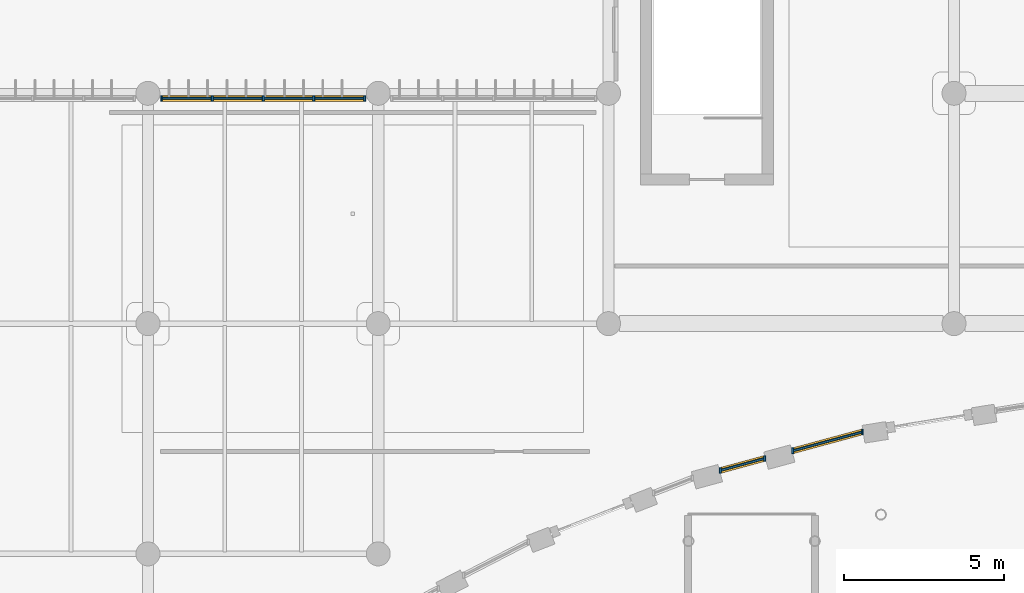
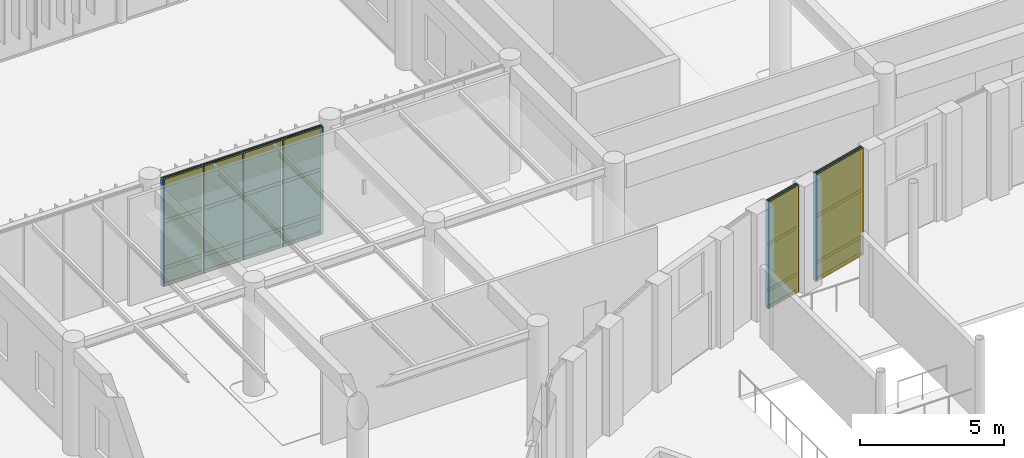
# One storey, part 59 of 122: 33 members, 18 plates, 3 curtain walls.
"""IFC4 building model written with IfcOpenShell, lengths in metres."""

from ifc_helpers import new_model, si_unit, direction, frame, frame_2d, origin, origin_2d, place, context, subcontext, project, spatial, rectangle, extrude, material, layer, layer_set, material_profile, profile_set, type_object, element, aggregate, save


model = new_model("IFC4")

# Units and contexts
model_context = context("Model", 3, precision=1e-05, world=origin(), true_north=direction((0.0, 1.0)))
body_context = subcontext(model_context, "Body", "Model", "MODEL_VIEW")
ifc_project = project(units=[si_unit("LENGTHUNIT", "METRE"), si_unit("AREAUNIT", "SQUARE_METRE"), si_unit("VOLUMEUNIT", "CUBIC_METRE"), si_unit("PLANEANGLEUNIT", "RADIAN"), si_unit("MASSUNIT", "GRAM", prefix="KILO")], contexts=[model_context])

# Member
ifc_material_1 = material(Name="Anodised Bronze Aluminium 6063-T6", Category="aluminium")
ifc_material_profile_1 = material_profile(ifc_material_1, rectangle(XDim=0.06005859375, YDim=0.1201171875, at=origin_2d()), Name="ALU TRANSOM 60x120")
ifc_profile_set_1 = profile_set([ifc_material_profile_1], Name="Anodised Bronze Aluminium 6063-T6")
member_type_1 = type_object("IfcMemberType", Name="Curtain-Wall Light Transom 60x120", PredefinedType="USERDEFINED", material=ifc_profile_set_1)
site_placement = place(None, origin())
building_placement = place(site_placement, origin())
storey_placement = place(building_placement, origin())
member_1_placement = place(storey_placement, frame((61.123291015625, 18.417236328125, 0.0400390625), z_axis=(0.965078708948, 0.26196008386, 0.0), x_axis=(-0.26196008386, 0.965078708948, 0.0)))
member_1 = element("IfcMember", 1, at=member_1_placement, type_object=member_type_1, Name="Transom CWT-03 CW-V5-SLOT-C07-1-T01.1", ObjectType="TRANSOM", PredefinedType="USERDEFINED", context=body_context, shape_type="SweptSolid", body=[
    extrude(rectangle(XDim=0.06005859375, YDim=0.1201171875, at=origin_2d()), origin(), (0.0, 0.0, 1.0), 1.374755859375),
])

member_2_placement = place(storey_placement, frame((61.123291015625, 18.417236328125, 0.75), z_axis=(0.965078708948, 0.26196008386, 0.0), x_axis=(-0.26196008386, 0.965078708948, 0.0)))
member_2 = element("IfcMember", 2, at=member_2_placement, type_object=member_type_1, Name="Transom CWT-03 CW-V5-SLOT-C07-1-T01.2", ObjectType="TRANSOM", PredefinedType="USERDEFINED", context=body_context, shape_type="SweptSolid", body=[
    extrude(rectangle(XDim=0.06005859375, YDim=0.1201171875, at=origin_2d()), origin(), (0.0, 0.0, 1.0), 1.374755859375),
])

member_3_placement = place(storey_placement, frame((61.123291015625, 18.417236328125, 2.71044921875), z_axis=(0.965078708948, 0.26196008386, 0.0), x_axis=(-0.26196008386, 0.965078708948, 0.0)))
member_3 = element("IfcMember", 3, at=member_3_placement, type_object=member_type_1, Name="Transom CWT-03 CW-V5-SLOT-C07-1-T01.3", ObjectType="TRANSOM", PredefinedType="USERDEFINED", context=body_context, shape_type="SweptSolid", body=[
    extrude(rectangle(XDim=0.06005859375, YDim=0.1201171875, at=origin_2d()), origin(), (0.0, 0.0, 1.0), 1.374755859375),
])

member_4_placement = place(storey_placement, frame((61.123291015625, 18.417236328125, 4.47998046875), z_axis=(0.965078708948, 0.26196008386, 0.0), x_axis=(-0.26196008386, 0.965078708948, 0.0)))
member_4 = element("IfcMember", 4, at=member_4_placement, type_object=member_type_1, Name="Transom CWT-03 CW-V5-SLOT-C07-1-T01.4", ObjectType="TRANSOM", PredefinedType="USERDEFINED", context=body_context, shape_type="SweptSolid", body=[
    extrude(rectangle(XDim=0.06005859375, YDim=0.1201171875, at=origin_2d()), origin(), (0.0, 0.0, 1.0), 1.374755859375),
])

member_5_placement = place(storey_placement, frame((63.38623046875, 19.031494140625, 0.0400390625), z_axis=(0.965106981073, 0.261855905192, 0.0), x_axis=(-0.261855905192, 0.965106981073, 0.0)))
member_5 = element("IfcMember", 5, at=member_5_placement, type_object=member_type_1, Name="Transom CWT-03 CW-V5-SLOT-C07-2-T01.1", ObjectType="TRANSOM", PredefinedType="USERDEFINED", context=body_context, shape_type="SweptSolid", body=[
    extrude(rectangle(XDim=0.06005859375, YDim=0.1201171875, at=origin_2d()), origin(), (0.0, 0.0, 1.0), 2.19482421875),
])

member_6_placement = place(storey_placement, frame((63.38623046875, 19.031494140625, 0.75), z_axis=(0.965106981073, 0.261855905192, 0.0), x_axis=(-0.261855905192, 0.965106981073, 0.0)))
member_6 = element("IfcMember", 6, at=member_6_placement, type_object=member_type_1, Name="Transom CWT-03 CW-V5-SLOT-C07-2-T01.2", ObjectType="TRANSOM", PredefinedType="USERDEFINED", context=body_context, shape_type="SweptSolid", body=[
    extrude(rectangle(XDim=0.06005859375, YDim=0.1201171875, at=origin_2d()), origin(), (0.0, 0.0, 1.0), 2.19482421875),
])

member_7_placement = place(storey_placement, frame((63.38623046875, 19.031494140625, 2.71044921875), z_axis=(0.965106981073, 0.261855905192, 0.0), x_axis=(-0.261855905192, 0.965106981073, 0.0)))
member_7 = element("IfcMember", 7, at=member_7_placement, type_object=member_type_1, Name="Transom CWT-03 CW-V5-SLOT-C07-2-T01.3", ObjectType="TRANSOM", PredefinedType="USERDEFINED", context=body_context, shape_type="SweptSolid", body=[
    extrude(rectangle(XDim=0.06005859375, YDim=0.1201171875, at=origin_2d()), origin(), (0.0, 0.0, 1.0), 2.19482421875),
])

member_8_placement = place(storey_placement, frame((63.38623046875, 19.031494140625, 4.47998046875), z_axis=(0.965106981073, 0.261855905192, 0.0), x_axis=(-0.261855905192, 0.965106981073, 0.0)))
member_8 = element("IfcMember", 8, at=member_8_placement, type_object=member_type_1, Name="Transom CWT-03 CW-V5-SLOT-C07-2-T01.4", ObjectType="TRANSOM", PredefinedType="USERDEFINED", context=body_context, shape_type="SweptSolid", body=[
    extrude(rectangle(XDim=0.06005859375, YDim=0.1201171875, at=origin_2d()), origin(), (0.0, 0.0, 1.0), 2.19482421875),
])

ifc_material_profile_2 = material_profile(ifc_material_1, rectangle(XDim=0.06005859375, YDim=0.179931640625, at=origin_2d()), Name="ALU MULLION 60x180")
ifc_profile_set_2 = profile_set([ifc_material_profile_2], Name="Anodised Bronze Aluminium 6063-T6")
member_type_2 = type_object("IfcMemberType", Name="Curtain-Wall Primary Mullion 60x180", PredefinedType="MULLION", material=ifc_profile_set_2)
member_9_placement = place(storey_placement, frame((61.08935546875, 18.407958984375, 0.0), z_axis=(0.0, 0.0, 1.0), x_axis=(1.0, 0.0, 0.0)))
member_9 = element("IfcMember", 9, at=member_9_placement, type_object=member_type_2, Name="Mullion CWM-01 CW-V5-SLOT-C07-1-M01", PredefinedType="MULLION", context=body_context, shape_type="SweptSolid", body=[
    extrude(rectangle(XDim=0.06005859375, YDim=0.179931640625, at=origin_2d()), origin(), (0.0, 0.0, 1.0), 4.52001953125),
])

member_10_placement = place(storey_placement, frame((62.48388671875, 18.78662109375, 0.0), z_axis=(0.0, 0.0, 1.0), x_axis=(1.0, 0.0, 0.0)))
member_10 = element("IfcMember", 10, at=member_10_placement, type_object=member_type_2, Name="Mullion CWM-01 CW-V5-SLOT-C07-1-M02", PredefinedType="MULLION", context=body_context, shape_type="SweptSolid", body=[
    extrude(rectangle(XDim=0.06005859375, YDim=0.179931640625, at=origin_2d()), origin(), (0.0, 0.0, 1.0), 4.52001953125),
])

member_11_placement = place(storey_placement, frame((63.352294921875, 19.022216796875, 0.0), z_axis=(0.0, 0.0, 1.0), x_axis=(1.0, 0.0, 0.0)))
member_11 = element("IfcMember", 11, at=member_11_placement, type_object=member_type_2, Name="Mullion CWM-01 CW-V5-SLOT-C07-2-M01", PredefinedType="MULLION", context=body_context, shape_type="SweptSolid", body=[
    extrude(rectangle(XDim=0.06005859375, YDim=0.179931640625, at=origin_2d()), origin(), (0.0, 0.0, 1.0), 4.52001953125),
])

member_12_placement = place(storey_placement, frame((65.538330078125, 19.615478515625, 0.0), z_axis=(0.0, 0.0, 1.0), x_axis=(1.0, 0.0, 0.0)))
member_12 = element("IfcMember", 12, at=member_12_placement, type_object=member_type_2, Name="Mullion CWM-01 CW-V5-SLOT-C07-2-M02", PredefinedType="MULLION", context=body_context, shape_type="SweptSolid", body=[
    extrude(rectangle(XDim=0.06005859375, YDim=0.179931640625, at=origin_2d()), origin(), (0.0, 0.0, 1.0), 4.52001953125),
])

member_13_placement = place(storey_placement, frame((43.625, 30.0400390625, 0.0), z_axis=(0.0, 0.0, 1.0), x_axis=(1.0, 0.0, 0.0)))
member_13 = element("IfcMember", 13, at=member_13_placement, type_object=member_type_2, Name="Mullion CWM-01 CW-V5-NRET-W-L00-B2-M01", PredefinedType="MULLION", context=body_context, shape_type="SweptSolid", body=[
    extrude(rectangle(XDim=0.06005859375, YDim=0.179931640625, at=origin_2d()), origin(), (0.0, 0.0, 1.0), 4.5400390625),
])

member_14_placement = place(storey_placement, frame((45.21240234375, 30.0400390625, 0.0), z_axis=(0.0, 0.0, 1.0), x_axis=(1.0, 0.0, 0.0)))
member_14 = element("IfcMember", 14, at=member_14_placement, type_object=member_type_2, Name="Mullion CWM-01 CW-V5-NRET-W-L00-B2-M02", PredefinedType="MULLION", context=body_context, shape_type="SweptSolid", body=[
    extrude(rectangle(XDim=0.06005859375, YDim=0.179931640625, at=origin_2d()), origin(), (0.0, 0.0, 1.0), 4.5400390625),
])

member_15_placement = place(storey_placement, frame((46.800048828125, 30.0400390625, 0.0), z_axis=(0.0, 0.0, 1.0), x_axis=(1.0, 0.0, 0.0)))
member_15 = element("IfcMember", 15, at=member_15_placement, type_object=member_type_2, Name="Mullion CWM-01 CW-V5-NRET-W-L00-B2-M03", PredefinedType="MULLION", context=body_context, shape_type="SweptSolid", body=[
    extrude(rectangle(XDim=0.06005859375, YDim=0.179931640625, at=origin_2d()), origin(), (0.0, 0.0, 1.0), 4.5400390625),
])

member_16_placement = place(storey_placement, frame((48.387451171875, 30.0400390625, 0.0), z_axis=(0.0, 0.0, 1.0), x_axis=(1.0, 0.0, 0.0)))
member_16 = element("IfcMember", 16, at=member_16_placement, type_object=member_type_2, Name="Mullion CWM-01 CW-V5-NRET-W-L00-B2-M04", PredefinedType="MULLION", context=body_context, shape_type="SweptSolid", body=[
    extrude(rectangle(XDim=0.06005859375, YDim=0.179931640625, at=origin_2d()), origin(), (0.0, 0.0, 1.0), 4.5400390625),
])

member_17_placement = place(storey_placement, frame((49.97509765625, 30.0400390625, 0.0), z_axis=(0.0, 0.0, 1.0), x_axis=(1.0, 0.0, 0.0)))
member_17 = element("IfcMember", 17, at=member_17_placement, type_object=member_type_2, Name="Mullion CWM-01 CW-V5-NRET-W-L00-B2-M05", PredefinedType="MULLION", context=body_context, shape_type="SweptSolid", body=[
    extrude(rectangle(XDim=0.06005859375, YDim=0.179931640625, at=origin_2d()), origin(), (0.0, 0.0, 1.0), 4.5400390625),
])

ifc_material_profile_3 = material_profile(ifc_material_1, rectangle(XDim=0.06005859375, YDim=0.139892578125, at=origin_2d()), Name="ALU TRANSOM 60x140")
ifc_profile_set_3 = profile_set([ifc_material_profile_3], Name="Anodised Bronze Aluminium 6063-T6")
member_type_3 = type_object("IfcMemberType", Name="Curtain-Wall Transom 60x140", PredefinedType="USERDEFINED", material=ifc_profile_set_3)
member_18_placement = place(storey_placement, frame((43.659912109375, 30.0400390625, 0.0400390625), z_axis=(1.0, 0.0, 0.0), x_axis=(0.0, 1.0, 0.0)))
member_18 = element("IfcMember", 18, at=member_18_placement, type_object=member_type_3, Name="Transom CWT-01 CW-V5-NRET-W-L00-B2-T01.1", ObjectType="TRANSOM", PredefinedType="USERDEFINED", context=body_context, shape_type="SweptSolid", body=[
    extrude(rectangle(XDim=0.06005859375, YDim=0.139892578125, at=origin_2d()), origin(), (0.0, 0.0, 1.0), 1.517578125),
])

member_19_placement = place(storey_placement, frame((43.659912109375, 30.0400390625, 0.75), z_axis=(1.0, 0.0, 0.0), x_axis=(0.0, 1.0, 0.0)))
member_19 = element("IfcMember", 19, at=member_19_placement, type_object=member_type_3, Name="Transom CWT-01 CW-V5-NRET-W-L00-B2-T01.2", ObjectType="TRANSOM", PredefinedType="USERDEFINED", context=body_context, shape_type="SweptSolid", body=[
    extrude(rectangle(XDim=0.06005859375, YDim=0.139892578125, at=origin_2d()), origin(), (0.0, 0.0, 1.0), 1.517578125),
])

member_20_placement = place(storey_placement, frame((43.659912109375, 30.0400390625, 2.720703125), z_axis=(1.0, 0.0, 0.0), x_axis=(0.0, 1.0, 0.0)))
member_20 = element("IfcMember", 20, at=member_20_placement, type_object=member_type_3, Name="Transom CWT-01 CW-V5-NRET-W-L00-B2-T01.3", ObjectType="TRANSOM", PredefinedType="USERDEFINED", context=body_context, shape_type="SweptSolid", body=[
    extrude(rectangle(XDim=0.06005859375, YDim=0.139892578125, at=origin_2d()), origin(), (0.0, 0.0, 1.0), 1.517578125),
])

member_21_placement = place(storey_placement, frame((43.659912109375, 30.0400390625, 4.5), z_axis=(1.0, 0.0, 0.0), x_axis=(0.0, 1.0, 0.0)))
member_21 = element("IfcMember", 21, at=member_21_placement, type_object=member_type_3, Name="Transom CWT-01 CW-V5-NRET-W-L00-B2-T01.4", ObjectType="TRANSOM", PredefinedType="USERDEFINED", context=body_context, shape_type="SweptSolid", body=[
    extrude(rectangle(XDim=0.06005859375, YDim=0.139892578125, at=origin_2d()), origin(), (0.0, 0.0, 1.0), 1.517578125),
])

member_22_placement = place(storey_placement, frame((45.24755859375, 30.0400390625, 0.0400390625), z_axis=(1.0, 0.0, 0.0), x_axis=(0.0, 1.0, 0.0)))
member_22 = element("IfcMember", 22, at=member_22_placement, type_object=member_type_3, Name="Transom CWT-01 CW-V5-NRET-W-L00-B2-T02.1", ObjectType="TRANSOM", PredefinedType="USERDEFINED", context=body_context, shape_type="SweptSolid", body=[
    extrude(rectangle(XDim=0.06005859375, YDim=0.139892578125, at=origin_2d()), origin(), (0.0, 0.0, 1.0), 1.517333984375),
])

member_23_placement = place(storey_placement, frame((45.24755859375, 30.0400390625, 0.75), z_axis=(1.0, 0.0, 0.0), x_axis=(0.0, 1.0, 0.0)))
member_23 = element("IfcMember", 23, at=member_23_placement, type_object=member_type_3, Name="Transom CWT-01 CW-V5-NRET-W-L00-B2-T02.2", ObjectType="TRANSOM", PredefinedType="USERDEFINED", context=body_context, shape_type="SweptSolid", body=[
    extrude(rectangle(XDim=0.06005859375, YDim=0.139892578125, at=origin_2d()), origin(), (0.0, 0.0, 1.0), 1.517333984375),
])

member_24_placement = place(storey_placement, frame((45.24755859375, 30.0400390625, 2.720703125), z_axis=(1.0, 0.0, 0.0), x_axis=(0.0, 1.0, 0.0)))
member_24 = element("IfcMember", 24, at=member_24_placement, type_object=member_type_3, Name="Transom CWT-01 CW-V5-NRET-W-L00-B2-T02.3", ObjectType="TRANSOM", PredefinedType="USERDEFINED", context=body_context, shape_type="SweptSolid", body=[
    extrude(rectangle(XDim=0.06005859375, YDim=0.139892578125, at=origin_2d()), origin(), (0.0, 0.0, 1.0), 1.517333984375),
])

member_25_placement = place(storey_placement, frame((45.24755859375, 30.0400390625, 4.5), z_axis=(1.0, 0.0, 0.0), x_axis=(0.0, 1.0, 0.0)))
member_25 = element("IfcMember", 25, at=member_25_placement, type_object=member_type_3, Name="Transom CWT-01 CW-V5-NRET-W-L00-B2-T02.4", ObjectType="TRANSOM", PredefinedType="USERDEFINED", context=body_context, shape_type="SweptSolid", body=[
    extrude(rectangle(XDim=0.06005859375, YDim=0.139892578125, at=origin_2d()), origin(), (0.0, 0.0, 1.0), 1.517333984375),
])

member_26_placement = place(storey_placement, frame((46.8349609375, 30.0400390625, 0.0400390625), z_axis=(1.0, 0.0, 0.0), x_axis=(0.0, 1.0, 0.0)))
member_26 = element("IfcMember", 26, at=member_26_placement, type_object=member_type_3, Name="Transom CWT-01 CW-V5-NRET-W-L00-B2-T03.1", ObjectType="TRANSOM", PredefinedType="USERDEFINED", context=body_context, shape_type="SweptSolid", body=[
    extrude(rectangle(XDim=0.06005859375, YDim=0.139892578125, at=origin_2d()), origin(), (0.0, 0.0, 1.0), 1.517578125),
])

member_27_placement = place(storey_placement, frame((46.8349609375, 30.0400390625, 0.75), z_axis=(1.0, 0.0, 0.0), x_axis=(0.0, 1.0, 0.0)))
member_27 = element("IfcMember", 27, at=member_27_placement, type_object=member_type_3, Name="Transom CWT-01 CW-V5-NRET-W-L00-B2-T03.2", ObjectType="TRANSOM", PredefinedType="USERDEFINED", context=body_context, shape_type="SweptSolid", body=[
    extrude(rectangle(XDim=0.06005859375, YDim=0.139892578125, at=origin_2d()), origin(), (0.0, 0.0, 1.0), 1.517578125),
])

member_28_placement = place(storey_placement, frame((46.8349609375, 30.0400390625, 2.720703125), z_axis=(1.0, 0.0, 0.0), x_axis=(0.0, 1.0, 0.0)))
member_28 = element("IfcMember", 28, at=member_28_placement, type_object=member_type_3, Name="Transom CWT-01 CW-V5-NRET-W-L00-B2-T03.3", ObjectType="TRANSOM", PredefinedType="USERDEFINED", context=body_context, shape_type="SweptSolid", body=[
    extrude(rectangle(XDim=0.06005859375, YDim=0.139892578125, at=origin_2d()), origin(), (0.0, 0.0, 1.0), 1.517578125),
])

member_29_placement = place(storey_placement, frame((46.8349609375, 30.0400390625, 4.5), z_axis=(1.0, 0.0, 0.0), x_axis=(0.0, 1.0, 0.0)))
member_29 = element("IfcMember", 29, at=member_29_placement, type_object=member_type_3, Name="Transom CWT-01 CW-V5-NRET-W-L00-B2-T03.4", ObjectType="TRANSOM", PredefinedType="USERDEFINED", context=body_context, shape_type="SweptSolid", body=[
    extrude(rectangle(XDim=0.06005859375, YDim=0.139892578125, at=origin_2d()), origin(), (0.0, 0.0, 1.0), 1.517578125),
])

member_30_placement = place(storey_placement, frame((48.422607421875, 30.0400390625, 0.0400390625), z_axis=(1.0, 0.0, 0.0), x_axis=(0.0, 1.0, 0.0)))
member_30 = element("IfcMember", 30, at=member_30_placement, type_object=member_type_3, Name="Transom CWT-01 CW-V5-NRET-W-L00-B2-T04.1", ObjectType="TRANSOM", PredefinedType="USERDEFINED", context=body_context, shape_type="SweptSolid", body=[
    extrude(rectangle(XDim=0.06005859375, YDim=0.139892578125, at=origin_2d()), origin(), (0.0, 0.0, 1.0), 1.517333984375),
])

member_31_placement = place(storey_placement, frame((48.422607421875, 30.0400390625, 0.75), z_axis=(1.0, 0.0, 0.0), x_axis=(0.0, 1.0, 0.0)))
member_31 = element("IfcMember", 31, at=member_31_placement, type_object=member_type_3, Name="Transom CWT-01 CW-V5-NRET-W-L00-B2-T04.2", ObjectType="TRANSOM", PredefinedType="USERDEFINED", context=body_context, shape_type="SweptSolid", body=[
    extrude(rectangle(XDim=0.06005859375, YDim=0.139892578125, at=origin_2d()), origin(), (0.0, 0.0, 1.0), 1.517333984375),
])

member_32_placement = place(storey_placement, frame((48.422607421875, 30.0400390625, 2.720703125), z_axis=(1.0, 0.0, 0.0), x_axis=(0.0, 1.0, 0.0)))
member_32 = element("IfcMember", 32, at=member_32_placement, type_object=member_type_3, Name="Transom CWT-01 CW-V5-NRET-W-L00-B2-T04.3", ObjectType="TRANSOM", PredefinedType="USERDEFINED", context=body_context, shape_type="SweptSolid", body=[
    extrude(rectangle(XDim=0.06005859375, YDim=0.139892578125, at=origin_2d()), origin(), (0.0, 0.0, 1.0), 1.517333984375),
])

member_33_placement = place(storey_placement, frame((48.422607421875, 30.0400390625, 4.5), z_axis=(1.0, 0.0, 0.0), x_axis=(0.0, 1.0, 0.0)))
member_33 = element("IfcMember", 33, at=member_33_placement, type_object=member_type_3, Name="Transom CWT-01 CW-V5-NRET-W-L00-B2-T04.4", ObjectType="TRANSOM", PredefinedType="USERDEFINED", context=body_context, shape_type="SweptSolid", body=[
    extrude(rectangle(XDim=0.06005859375, YDim=0.139892578125, at=origin_2d()), origin(), (0.0, 0.0, 1.0), 1.517333984375),
])

# Plate
ifc_material_2 = material(Name="Double Low-E Acoustic Laminated Glass", Category="glass")
ifc_layer_1 = layer(ifc_material_2, 0.0439453125, Name="Double Low-E Acoustic Laminated Glass")
ifc_layer_set_1 = layer_set([ifc_layer_1], Name="Double Low-E Acoustic Laminated Glass")
plate_type_1 = type_object("IfcPlateType", Name="Acoustic Laminated Low-E Glazing Unit 44", PredefinedType="CURTAIN_PANEL", material=ifc_layer_set_1)
plate_1_placement = place(storey_placement, frame((61.78662109375, 18.597412109375, 0.780029296875), z_axis=(0.0, 0.0, 1.0), x_axis=(0.965077787343, 0.261963479089, 0.0)))
plate_1 = element("IfcPlate", 34, at=plate_1_placement, type_object=plate_type_1, Name="Curtain Panel CWP-01 CW-V5-SLOT-C07-1-P01.2", PredefinedType="CURTAIN_PANEL", context=body_context, shape_type="SweptSolid", body=[
    extrude(rectangle(XDim=1.375, YDim=0.0439453125, at=origin_2d()), origin(), (0.0, 0.0, 1.0), 1.900390625),
])

plate_2_placement = place(storey_placement, frame((61.78662109375, 18.597412109375, 2.740234375), z_axis=(0.0, 0.0, 1.0), x_axis=(0.965077787343, 0.261963479089, 0.0)))
plate_2 = element("IfcPlate", 35, at=plate_2_placement, type_object=plate_type_1, Name="Curtain Panel CWP-01 CW-V5-SLOT-C07-1-P01.3", PredefinedType="CURTAIN_PANEL", context=body_context, shape_type="SweptSolid", body=[
    extrude(rectangle(XDim=1.375, YDim=0.0439453125, at=origin_2d()), origin(), (0.0, 0.0, 1.0), 1.709716796875),
])

plate_3_placement = place(storey_placement, frame((64.4453125, 19.31884765625, 0.780029296875), z_axis=(0.0, 0.0, 1.0), x_axis=(0.965082816503, 0.261944950878, 0.0)))
plate_3 = element("IfcPlate", 36, at=plate_3_placement, type_object=plate_type_1, Name="Curtain Panel CWP-01 CW-V5-SLOT-C07-2-P01.2", PredefinedType="CURTAIN_PANEL", context=body_context, shape_type="SweptSolid", body=[
    extrude(rectangle(XDim=2.195068359375, YDim=0.0439453125, at=origin_2d()), origin(), (0.0, 0.0, 1.0), 1.900390625),
])

plate_4_placement = place(storey_placement, frame((64.4453125, 19.31884765625, 2.740234375), z_axis=(0.0, 0.0, 1.0), x_axis=(0.965082816503, 0.261944950878, 0.0)))
plate_4 = element("IfcPlate", 37, at=plate_4_placement, type_object=plate_type_1, Name="Curtain Panel CWP-01 CW-V5-SLOT-C07-2-P01.3", PredefinedType="CURTAIN_PANEL", context=body_context, shape_type="SweptSolid", body=[
    extrude(rectangle(XDim=2.195068359375, YDim=0.0439453125, at=origin_2d()), origin(), (0.0, 0.0, 1.0), 1.709716796875),
])

ifc_material_3 = material(Name="Ceramic-Fritted Tempered Laminated Glass", Category="glass")
ifc_layer_2 = layer(ifc_material_3, 0.0458984375, Name="Ceramic-Fritted Tempered Laminated Glass")
ifc_layer_set_2 = layer_set([ifc_layer_2], Name="Ceramic-Fritted Tempered Laminated Glass")
plate_type_2 = type_object("IfcPlateType", Name="Ceramic-Frit Acoustic Spandrel Glazing 46", PredefinedType="CURTAIN_PANEL", material=ifc_layer_set_2)
plate_5_placement = place(storey_placement, frame((61.78662109375, 18.597412109375, 0.070068359375), z_axis=(0.0, 0.0, 1.0), x_axis=(0.965077787343, 0.261963479089, 0.0)))
plate_5 = element("IfcPlate", 38, at=plate_5_placement, type_object=plate_type_2, Name="Curtain Panel CWP-04 CW-V5-SLOT-C07-1-P01.1", PredefinedType="CURTAIN_PANEL", context=body_context, shape_type="SweptSolid", body=[
    extrude(rectangle(XDim=1.375, YDim=0.0458984375, at=origin_2d()), origin(), (0.0, 0.0, 1.0), 0.64990234375),
])

plate_6_placement = place(storey_placement, frame((64.4453125, 19.31884765625, 0.070068359375), z_axis=(0.0, 0.0, 1.0), x_axis=(0.965082816503, 0.261944950878, 0.0)))
plate_6 = element("IfcPlate", 39, at=plate_6_placement, type_object=plate_type_2, Name="Curtain Panel CWP-04 CW-V5-SLOT-C07-2-P01.1", PredefinedType="CURTAIN_PANEL", context=body_context, shape_type="SweptSolid", body=[
    extrude(rectangle(XDim=2.195068359375, YDim=0.0458984375, at=origin_2d()), origin(), (0.0, 0.0, 1.0), 0.64990234375),
])

ifc_material_4 = material(Name="Insulated Bronze Aluminium Spandrel Panel", Category="aluminium")
ifc_layer_3 = layer(ifc_material_4, 0.050048828125, Name="Insulated Bronze Aluminium Spandrel Panel")
ifc_layer_set_3 = layer_set([ifc_layer_3], Name="Insulated Bronze Aluminium Spandrel Panel")
plate_type_3 = type_object("IfcPlateType", Name="Insulated Anodised Aluminium Spandrel Cassette 50", PredefinedType="CURTAIN_PANEL", material=ifc_layer_set_3)
plate_7_placement = place(storey_placement, frame((44.418701171875, 30.0400390625, 0.070068359375), z_axis=(0.0, 0.0, 1.0), x_axis=(1.0, 0.0, 0.0)))
plate_7 = element("IfcPlate", 40, at=plate_7_placement, type_object=plate_type_3, Name="Curtain Panel CWP-03 CW-V5-NRET-W-L00-B2-P01.1", PredefinedType="CURTAIN_PANEL", context=body_context, shape_type="SweptSolid", body=[
    extrude(rectangle(XDim=1.517578125, YDim=0.050048828125, at=origin_2d()), origin(), (0.0, 0.0, 1.0), 0.64990234375),
])

plate_8_placement = place(storey_placement, frame((46.00634765625, 30.0400390625, 0.070068359375), z_axis=(0.0, 0.0, 1.0), x_axis=(1.0, 0.0, 0.0)))
plate_8 = element("IfcPlate", 41, at=plate_8_placement, type_object=plate_type_3, Name="Curtain Panel CWP-03 CW-V5-NRET-W-L00-B2-P02.1", PredefinedType="CURTAIN_PANEL", context=body_context, shape_type="SweptSolid", body=[
    extrude(rectangle(XDim=1.517578125, YDim=0.050048828125, at=origin_2d()), origin(), (0.0, 0.0, 1.0), 0.64990234375),
])

plate_9_placement = place(storey_placement, frame((47.59375, 30.0400390625, 0.070068359375), z_axis=(0.0, 0.0, 1.0), x_axis=(1.0, 0.0, 0.0)))
plate_9 = element("IfcPlate", 42, at=plate_9_placement, type_object=plate_type_3, Name="Curtain Panel CWP-03 CW-V5-NRET-W-L00-B2-P03.1", PredefinedType="CURTAIN_PANEL", context=body_context, shape_type="SweptSolid", body=[
    extrude(rectangle(XDim=1.517578125, YDim=0.050048828125, at=origin_2d()), origin(), (0.0, 0.0, 1.0), 0.64990234375),
])

plate_10_placement = place(storey_placement, frame((49.18115234375, 30.0400390625, 0.070068359375), z_axis=(0.0, 0.0, 1.0), x_axis=(1.0, 0.0, 0.0)))
plate_10 = element("IfcPlate", 43, at=plate_10_placement, type_object=plate_type_3, Name="Curtain Panel CWP-03 CW-V5-NRET-W-L00-B2-P04.1", PredefinedType="CURTAIN_PANEL", context=body_context, shape_type="SweptSolid", body=[
    extrude(rectangle(XDim=1.517578125, YDim=0.050048828125, at=origin_2d()), origin(), (0.0, 0.0, 1.0), 0.64990234375),
])

ifc_material_5 = material(Name="Solar-Control Tempered Double Glazing", Category="glass")
ifc_layer_4 = layer(ifc_material_5, 0.0380859375, Name="Solar-Control Tempered Double Glazing")
ifc_layer_set_4 = layer_set([ifc_layer_4], Name="Solar-Control Tempered Double Glazing")
plate_type_4 = type_object("IfcPlateType", Name="Solar-Control Vision Glazing Unit 38", PredefinedType="CURTAIN_PANEL", material=ifc_layer_set_4)
plate_11_placement = place(storey_placement, frame((44.418701171875, 30.0400390625, 0.77978515625), z_axis=(0.0, 0.0, 1.0), x_axis=(1.0, 0.0, 0.0)))
plate_11 = element("IfcPlate", 44, at=plate_11_placement, type_object=plate_type_4, Name="Curtain Panel CWP-02 CW-V5-NRET-W-L00-B2-P01.2", PredefinedType="CURTAIN_PANEL", context=body_context, shape_type="SweptSolid", body=[
    extrude(rectangle(XDim=1.517578125, YDim=0.0380859375, at=origin_2d()), origin(), (0.0, 0.0, 1.0), 1.910888671875),
])

plate_12_placement = place(storey_placement, frame((44.418701171875, 30.0400390625, 2.750732421875), z_axis=(0.0, 0.0, 1.0), x_axis=(1.0, 0.0, 0.0)))
plate_12 = element("IfcPlate", 45, at=plate_12_placement, type_object=plate_type_4, Name="Curtain Panel CWP-02 CW-V5-NRET-W-L00-B2-P01.3", PredefinedType="CURTAIN_PANEL", context=body_context, shape_type="SweptSolid", body=[
    extrude(rectangle(XDim=1.517578125, YDim=0.0380859375, at=origin_2d()), origin(), (0.0, 0.0, 1.0), 1.71923828125),
])

plate_13_placement = place(storey_placement, frame((46.00634765625, 30.0400390625, 0.77978515625), z_axis=(0.0, 0.0, 1.0), x_axis=(1.0, 0.0, 0.0)))
plate_13 = element("IfcPlate", 46, at=plate_13_placement, type_object=plate_type_4, Name="Curtain Panel CWP-02 CW-V5-NRET-W-L00-B2-P02.2", PredefinedType="CURTAIN_PANEL", context=body_context, shape_type="SweptSolid", body=[
    extrude(rectangle(XDim=1.517578125, YDim=0.0380859375, at=origin_2d()), origin(), (0.0, 0.0, 1.0), 1.910888671875),
])

plate_14_placement = place(storey_placement, frame((46.00634765625, 30.0400390625, 2.750732421875), z_axis=(0.0, 0.0, 1.0), x_axis=(1.0, 0.0, 0.0)))
plate_14 = element("IfcPlate", 47, at=plate_14_placement, type_object=plate_type_4, Name="Curtain Panel CWP-02 CW-V5-NRET-W-L00-B2-P02.3", PredefinedType="CURTAIN_PANEL", context=body_context, shape_type="SweptSolid", body=[
    extrude(rectangle(XDim=1.517578125, YDim=0.0380859375, at=origin_2d()), origin(), (0.0, 0.0, 1.0), 1.71923828125),
])

plate_15_placement = place(storey_placement, frame((47.59375, 30.0400390625, 0.77978515625), z_axis=(0.0, 0.0, 1.0), x_axis=(1.0, 0.0, 0.0)))
plate_15 = element("IfcPlate", 48, at=plate_15_placement, type_object=plate_type_4, Name="Curtain Panel CWP-02 CW-V5-NRET-W-L00-B2-P03.2", PredefinedType="CURTAIN_PANEL", context=body_context, shape_type="SweptSolid", body=[
    extrude(rectangle(XDim=1.517578125, YDim=0.0380859375, at=origin_2d()), origin(), (0.0, 0.0, 1.0), 1.910888671875),
])

plate_16_placement = place(storey_placement, frame((47.59375, 30.0400390625, 2.750732421875), z_axis=(0.0, 0.0, 1.0), x_axis=(1.0, 0.0, 0.0)))
plate_16 = element("IfcPlate", 49, at=plate_16_placement, type_object=plate_type_4, Name="Curtain Panel CWP-02 CW-V5-NRET-W-L00-B2-P03.3", PredefinedType="CURTAIN_PANEL", context=body_context, shape_type="SweptSolid", body=[
    extrude(rectangle(XDim=1.517578125, YDim=0.0380859375, at=origin_2d()), origin(), (0.0, 0.0, 1.0), 1.71923828125),
])

plate_17_placement = place(storey_placement, frame((49.18115234375, 30.0400390625, 0.77978515625), z_axis=(0.0, 0.0, 1.0), x_axis=(1.0, 0.0, 0.0)))
plate_17 = element("IfcPlate", 50, at=plate_17_placement, type_object=plate_type_4, Name="Curtain Panel CWP-02 CW-V5-NRET-W-L00-B2-P04.2", PredefinedType="CURTAIN_PANEL", context=body_context, shape_type="SweptSolid", body=[
    extrude(rectangle(XDim=1.517578125, YDim=0.0380859375, at=origin_2d()), origin(), (0.0, 0.0, 1.0), 1.910888671875),
])

plate_18_placement = place(storey_placement, frame((49.18115234375, 30.0400390625, 2.750732421875), z_axis=(0.0, 0.0, 1.0), x_axis=(1.0, 0.0, 0.0)))
plate_18 = element("IfcPlate", 51, at=plate_18_placement, type_object=plate_type_4, Name="Curtain Panel CWP-02 CW-V5-NRET-W-L00-B2-P04.3", PredefinedType="CURTAIN_PANEL", context=body_context, shape_type="SweptSolid", body=[
    extrude(rectangle(XDim=1.517578125, YDim=0.0380859375, at=origin_2d()), origin(), (0.0, 0.0, 1.0), 1.71923828125),
])

# Site, building, storey
site = spatial("IfcSite", under=ifc_project, at=site_placement, CompositionType="ELEMENT")
building = spatial("IfcBuilding", under=site, at=building_placement, Name="Tazoul Stagehouse", CompositionType="ELEMENT")
storey = spatial("IfcBuildingStorey", under=building, at=storey_placement, Name="L00", CompositionType="ELEMENT", Elevation=0.0)

# Curtain wall
curtain_wall_type = type_object("IfcCurtainWallType", Name="Foyer Clear Solar-Control Curtain Wall", PredefinedType="NOTDEFINED", material=ifc_material_1)
curtain_wall_1_placement = place(storey_placement, frame((61.08935546875, 18.407958984375, 0.0), z_axis=(0.0, 0.0, 1.0), x_axis=(0.965055642915, 0.262045045896, 0.0)))
curtain_wall_1 = element("IfcCurtainWall", 52, at=curtain_wall_1_placement, inside=storey, type_object=curtain_wall_type, Name="L00 Curtain Wall CW-02 (CW-V5-SLOT-C07-1)", PredefinedType="NOTDEFINED", context=body_context, shape_type="SweptSolid", body=[
    extrude(rectangle(XDim=1.445068359375, YDim=0.179931640625, at=frame_2d((0.72265625, 0.0))), origin(), (0.0, 0.0, 1.0), 4.52001953125),
])

aggregate(curtain_wall_1, [member_9, member_10, member_1, member_2, member_3, member_4, plate_5, plate_1, plate_2])

curtain_wall_2_placement = place(storey_placement, frame((63.352294921875, 19.022216796875, 0.0), z_axis=(0.0, 0.0, 1.0), x_axis=(0.965091394557, 0.261913344737, 0.0)))
curtain_wall_2 = element("IfcCurtainWall", 53, at=curtain_wall_2_placement, inside=storey, type_object=curtain_wall_type, Name="L00 Curtain Wall CW-02 (CW-V5-SLOT-C07-2)", PredefinedType="NOTDEFINED", context=body_context, shape_type="SweptSolid", body=[
    extrude(rectangle(XDim=2.26513671875, YDim=0.179931640625, at=frame_2d((1.132568359375, 0.0))), origin(), (0.0, 0.0, 1.0), 4.52001953125),
])

aggregate(curtain_wall_2, [member_11, member_12, member_5, member_6, member_7, member_8, plate_6, plate_3, plate_4])

curtain_wall_3_placement = place(storey_placement, frame((43.625, 30.0400390625, 0.0), z_axis=(0.0, 0.0, 1.0), x_axis=(1.0, 0.0, 0.0)))
curtain_wall_3 = element("IfcCurtainWall", 54, at=curtain_wall_3_placement, inside=storey, type_object=curtain_wall_type, Name="L00 Curtain Wall CW-02 (CW-V5-NRET-W-L00-B2)", PredefinedType="NOTDEFINED", context=body_context, shape_type="SweptSolid", body=[
    extrude(rectangle(XDim=6.35009765625, YDim=0.179931640625, at=frame_2d((3.175048828125, 0.0))), origin(), (0.0, 0.0, 1.0), 4.5400390625),
])

aggregate(curtain_wall_3, [member_13, member_14, member_15, member_16, member_17, member_18, member_19, member_20, member_21, plate_7, plate_11, plate_12, member_22, member_23, member_24, member_25, plate_8, plate_13, plate_14, member_26, member_27, member_28, member_29, plate_9, plate_15, plate_16, member_30, member_31, member_32, member_33, plate_10, plate_17, plate_18])

save(model, "model.ifc")
